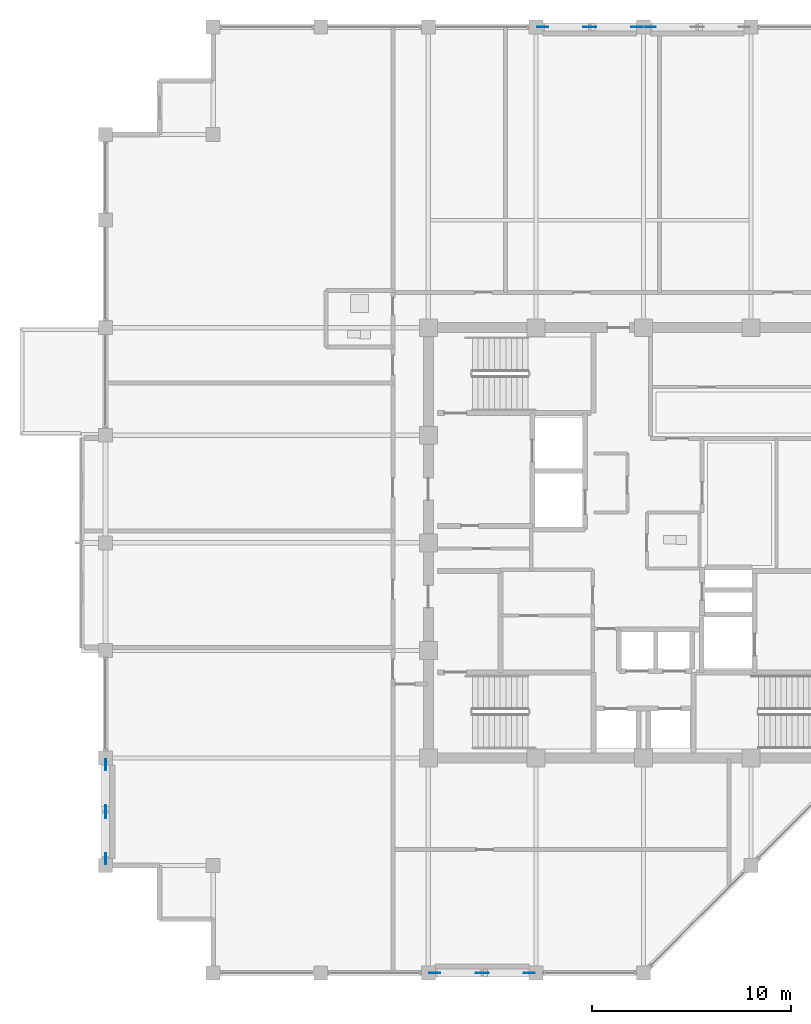
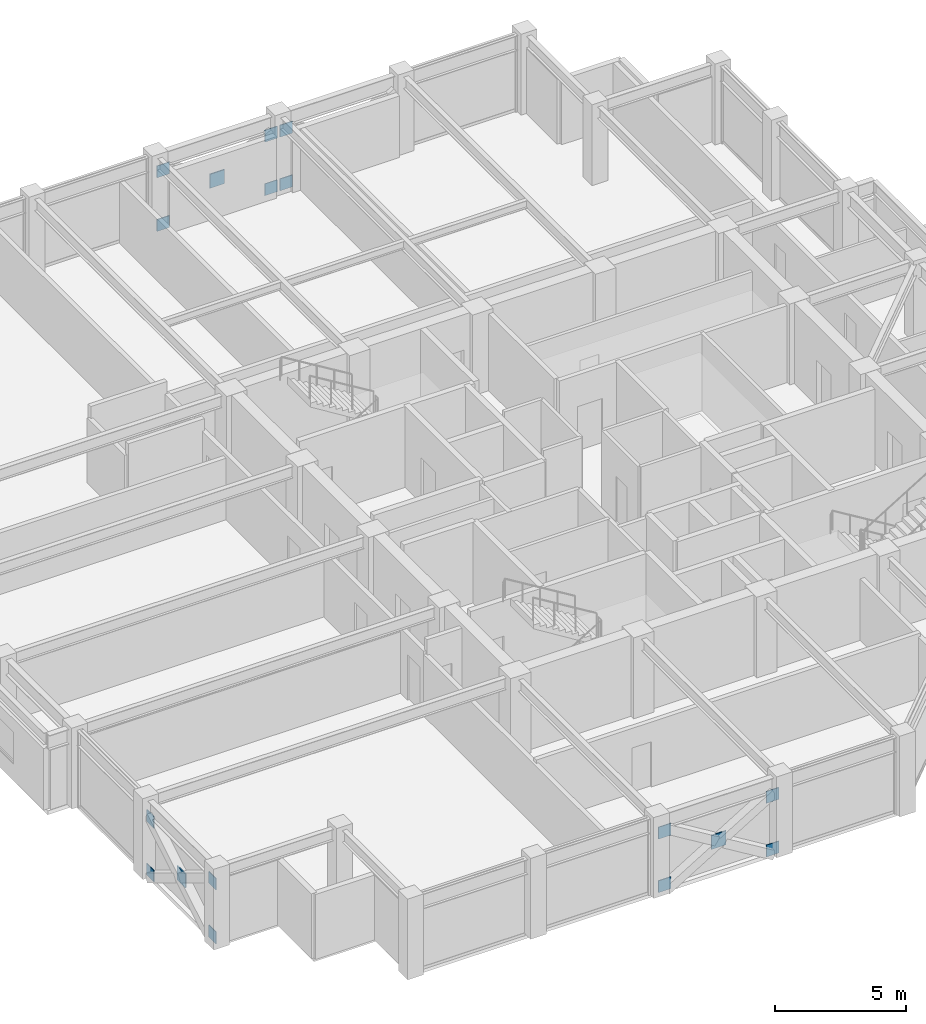
# One storey, part 23 of 31: 17 plates.
"""IFC4 building model written with IfcOpenShell, lengths in metres."""

from ifc_helpers import new_model, si_unit, direction, frame, origin, origin_2d, place, context, subcontext, project, spatial, rectangle, extrude, material, layer, layer_set, type_object, element, save


model = new_model("IFC4")

# Units and contexts
model_context = context("Model", 3, precision=1e-05, world=origin(), true_north=direction((0.0, 1.0)))
body_context = subcontext(model_context, "Body", "Model", "MODEL_VIEW")
ifc_project = project(units=[si_unit("LENGTHUNIT", "METRE"), si_unit("AREAUNIT", "SQUARE_METRE"), si_unit("VOLUMEUNIT", "CUBIC_METRE"), si_unit("PLANEANGLEUNIT", "RADIAN"), si_unit("MASSUNIT", "GRAM", prefix="KILO")], contexts=[model_context])

# Site, building, storey
site_placement = place(None, origin())
site = spatial("IfcSite", under=ifc_project, at=site_placement, CompositionType="ELEMENT")
building_placement = place(site_placement, origin())
building = spatial("IfcBuilding", under=site, at=building_placement, Name="Surkhivell Harbour Commons", CompositionType="ELEMENT")
storey_placement = place(building_placement, frame((0.0, 0.0, 270.0)))
storey = spatial("IfcBuildingStorey", under=building, at=storey_placement, Name="L70", CompositionType="ELEMENT", Elevation=270.0)

# Plates
ifc_material = material(Name="Steel S460", Category="steel")
ifc_layer_1 = layer(ifc_material, 0.035888671875)
ifc_layer_set_1 = layer_set([ifc_layer_1], Name="Steel S460")
plate_type_1 = type_object("IfcPlateType", Name="PLT-GUS-550", PredefinedType="USERDEFINED", material=ifc_layer_set_1)
for number, where, z_axis, x_axis, name in (
    (1, (-5.06494140625, 25.89990234375, -0.07470703125), (0.0, 0.0, 1.0), (1.0, 0.0, 0.0), "L70 Perimeter Mega-Brace MB- Corner Gusset N-1"),
    (2, (-0.3349609375, 25.89990234375, -0.07470703125), (0.0, 0.0, 1.0), (1.0, 0.0, 0.0), "L70 Perimeter Mega-Brace MB- Corner Gusset N-2"),
    (3, (-5.06494140625, 25.89990234375, 2.41357421875), (0.0, 0.0, 1.0), (1.0, 0.0, 0.0), "L70 Perimeter Mega-Brace MB- Corner Gusset N-3"),
    (4, (-0.3349609375, 25.89990234375, 2.41357421875), (0.0, 0.0, 1.0), (1.0, 0.0, 0.0), "L70 Perimeter Mega-Brace MB- Corner Gusset N-4"),
    (5, (0.3349609375, 25.89990234375, -0.07470703125), (0.0, 0.0, 1.0), (1.0, 0.0, 0.0), "L70 Perimeter Mega-Brace MB- Corner Gusset N2-1"),
    (6, (0.3349609375, 25.89990234375, 2.41357421875), (0.0, 0.0, 1.0), (1.0, 0.0, 0.0), "L70 Perimeter Mega-Brace MB- Corner Gusset N2-3"),
    (7, (-10.465087890625, -21.60009765625, -0.07470703125), (0.0, 0.0, 1.0), (1.0, 0.0, 0.0), "L70 Perimeter Mega-Brace MB- Corner Gusset S-1"),
    (8, (-5.735107421875, -21.60009765625, -0.07470703125), (0.0, 0.0, 1.0), (1.0, 0.0, 0.0), "L70 Perimeter Mega-Brace MB- Corner Gusset S-2"),
    (9, (-10.465087890625, -21.60009765625, 2.41357421875), (0.0, 0.0, 1.0), (1.0, 0.0, 0.0), "L70 Perimeter Mega-Brace MB- Corner Gusset S-3"),
    (10, (-5.735107421875, -21.60009765625, 2.41357421875), (0.0, 0.0, 1.0), (1.0, 0.0, 0.0), "L70 Perimeter Mega-Brace MB- Corner Gusset S-4"),
    (11, (-27.0, -15.864990234375, -0.07470703125), (0.0, 0.0, 1.0), (0.0, 1.0, 0.0), "L70 Perimeter Mega-Brace MB- Corner Gusset W-1"),
    (12, (-27.0, -11.135009765625, -0.07470703125), (0.0, 0.0, 1.0), (0.0, 1.0, 0.0), "L70 Perimeter Mega-Brace MB- Corner Gusset W-2"),
    (13, (-27.0, -15.864990234375, 2.41357421875), (0.0, 0.0, 1.0), (0.0, 1.0, 0.0), "L70 Perimeter Mega-Brace MB- Corner Gusset W-3"),
    (14, (-27.0, -11.135009765625, 2.41357421875), (0.0, 0.0, 1.0), (0.0, 1.0, 0.0), "L70 Perimeter Mega-Brace MB- Corner Gusset W-4"),
):
    element("IfcPlate", number, at=place(storey_placement, frame(where, z_axis=z_axis, x_axis=x_axis)), inside=storey, type_object=plate_type_1, Name=name, ObjectType="GUSSET_PLATE", PredefinedType="USERDEFINED", context=body_context, shape_type="SweptSolid", body=[
        extrude(rectangle(XDim=0.550048828125, YDim=0.035888671875, at=origin_2d()), origin(), (0.0, 0.0, 1.0), 0.550048828125),
    ])
ifc_layer_2 = layer(ifc_material, 0.044921875)
ifc_layer_set_2 = layer_set([ifc_layer_2], Name="Steel S460")
plate_type_2 = type_object("IfcPlateType", Name="PLT-GUS-650", PredefinedType="USERDEFINED", material=ifc_layer_set_2)
for number, where, z_axis, x_axis, name in (
    (15, (-2.699951171875, 25.89990234375, 1.11962890625), (0.0, 0.0, 1.0), (1.0, 0.0, 0.0), "L70 Perimeter Mega-Brace MB- Central Crossing Gusset N"),
    (16, (-8.10009765625, -21.60009765625, 1.11962890625), (0.0, 0.0, 1.0), (1.0, 0.0, 0.0), "L70 Perimeter Mega-Brace MB- Central Crossing Gusset S"),
    (17, (-27.0, -13.5, 1.11962890625), (0.0, 0.0, 1.0), (0.0, 1.0, 0.0), "L70 Perimeter Mega-Brace MB- Central Crossing Gusset W"),
):
    element("IfcPlate", number, at=place(storey_placement, frame(where, z_axis=z_axis, x_axis=x_axis)), inside=storey, type_object=plate_type_2, Name=name, ObjectType="GUSSET_PLATE", PredefinedType="USERDEFINED", context=body_context, shape_type="SweptSolid", body=[
        extrude(rectangle(XDim=0.64990234375, YDim=0.044921875, at=origin_2d()), origin(), (0.0, 0.0, 1.0), 0.64990234375),
    ])

save(model, "model.ifc")
